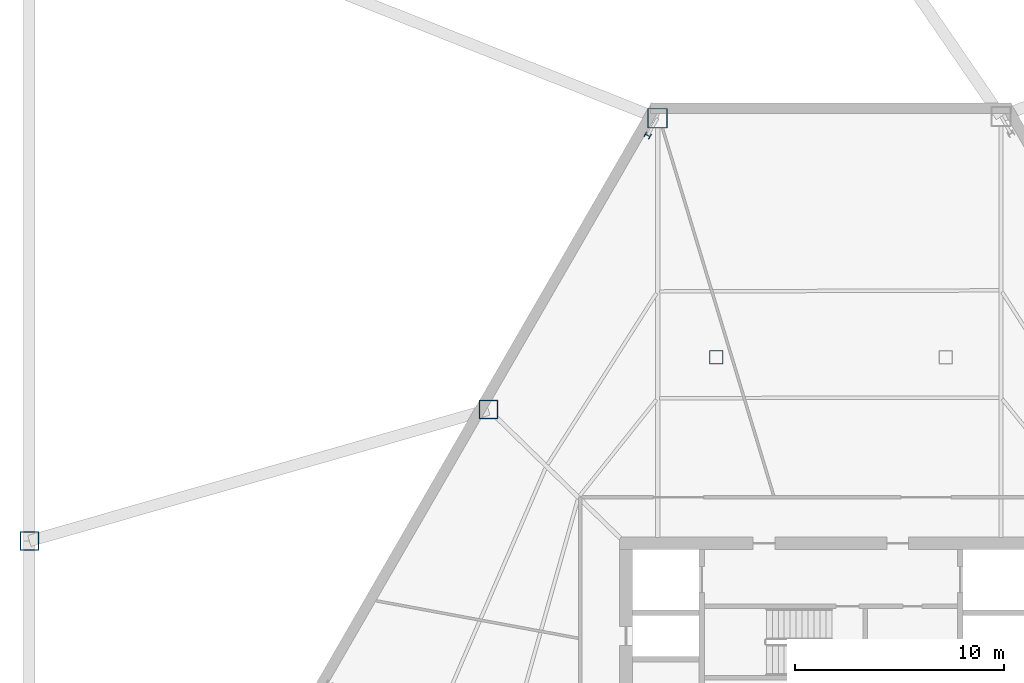
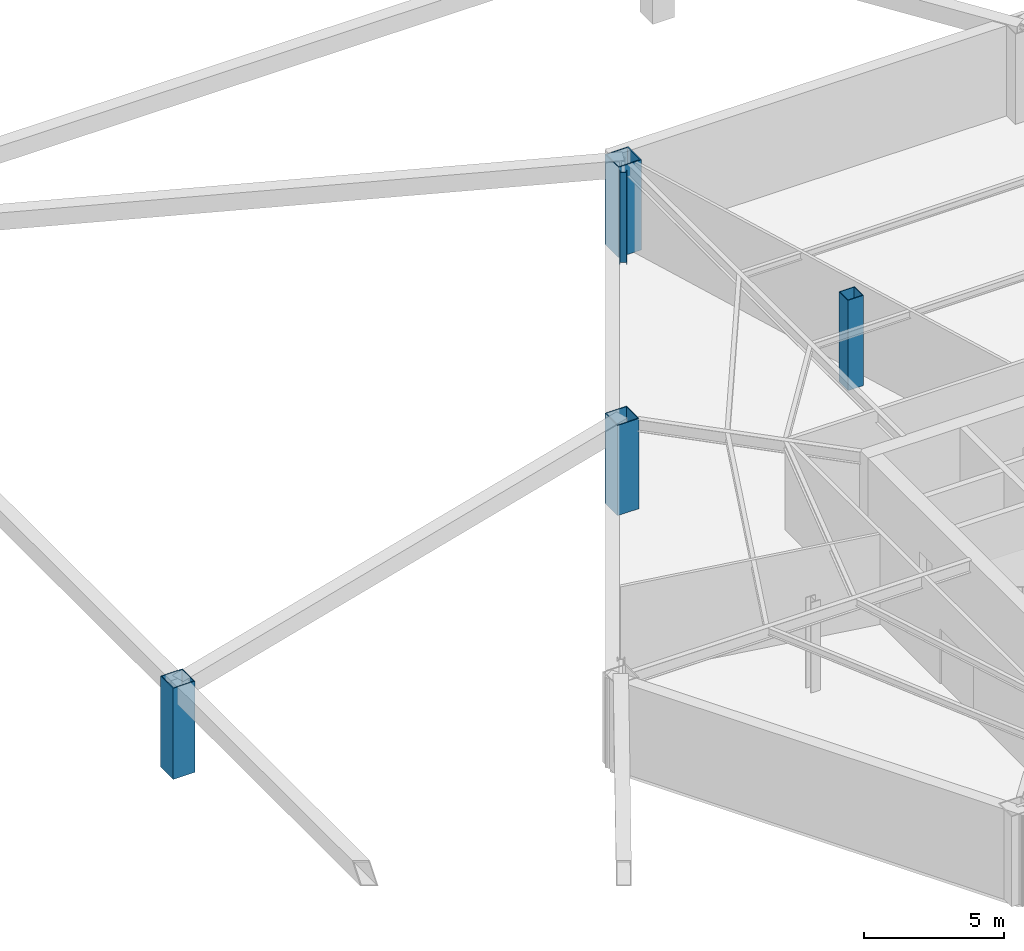
# One storey, part 3 of 8: 5 columns.
"""IFC4 building model written with IfcOpenShell, lengths in metres."""

from ifc_helpers import new_model, si_unit, direction, frame, origin, origin_2d, place, context, subcontext, project, spatial, hollow_rectangle, i_section, extrude, material, material_profile, profile_set, type_object, element, save


model = new_model("IFC4")

# Units and contexts
model_context = context("Model", 3, precision=1e-05, world=origin(), true_north=direction((0.0, 1.0)))
body_context = subcontext(model_context, "Body", "Model", "MODEL_VIEW")
ifc_project = project(units=[si_unit("LENGTHUNIT", "METRE"), si_unit("AREAUNIT", "SQUARE_METRE"), si_unit("VOLUMEUNIT", "CUBIC_METRE"), si_unit("PLANEANGLEUNIT", "RADIAN"), si_unit("MASSUNIT", "GRAM", prefix="KILO")], contexts=[model_context])

# Site, building, storey
site_placement = place(None, origin())
site = spatial("IfcSite", under=ifc_project, at=site_placement, CompositionType="ELEMENT")
building_placement = place(site_placement, origin())
building = spatial("IfcBuilding", under=site, at=building_placement, Name="Kavelnor Concourse Tower", CompositionType="ELEMENT")
storey_placement = place(building_placement, frame((0.0, 0.0, -4.199951171875)))
storey = spatial("IfcBuildingStorey", under=building, at=storey_placement, Name="B01", CompositionType="ELEMENT", Elevation=-4.199951171875)

# Columns
ifc_material = material(Name="Steel Grade 350", Category="steel")
ifc_material_profile_1 = material_profile(ifc_material, hollow_rectangle(XDim=0.89990234375, YDim=0.89990234375, WallThickness=0.0380859375, at=origin_2d()), Name="SHS 900x900x38")
ifc_profile_set_1 = profile_set([ifc_material_profile_1], Name="Steel Grade 350")
column_type_1 = type_object("IfcColumnType", Name="COL-MEGA-900", PredefinedType="COLUMN", material=ifc_profile_set_1)
column_1_placement = place(storey_placement, frame((21.587158203125, 29.294189453125, 0.0), z_axis=(0.0, 0.0, 1.0), x_axis=(1.0, 0.0, 0.0)))
element("IfcColumn", 1, at=column_1_placement, inside=storey, type_object=column_type_1, Name="B01 Perimeter Mega Column MC-F0", PredefinedType="COLUMN", context=body_context, shape_type="SweptSolid", body=[
    extrude(hollow_rectangle(XDim=0.89990234375, YDim=0.89990234375, WallThickness=0.0380859375, at=origin_2d()), origin(), (0.0, 0.0, 1.0), 3.93994140625),
])
column_2_placement = place(storey_placement, frame((-0.39990234375, 23.0, 0.0), z_axis=(0.0, 0.0, 1.0), x_axis=(1.0, 0.0, 0.0)))
element("IfcColumn", 2, at=column_2_placement, inside=storey, type_object=column_type_1, Name="B01 Plaza Support Column PLZ-W", PredefinedType="COLUMN", context=body_context, shape_type="SweptSolid", body=[
    extrude(hollow_rectangle(XDim=0.89990234375, YDim=0.89990234375, WallThickness=0.0380859375, at=origin_2d()), origin(), (0.0, 0.0, 1.0), 3.97998046875),
])
ifc_material_profile_2 = material_profile(ifc_material, hollow_rectangle(XDim=0.949951171875, YDim=0.949951171875, WallThickness=0.0400390625, at=origin_2d()), Name="SHS 950x950x40")
ifc_profile_set_2 = profile_set([ifc_material_profile_2], Name="Steel Grade 350")
column_type_2 = type_object("IfcColumnType", Name="COL-MEGA-950", PredefinedType="COLUMN", material=ifc_profile_set_2)
column_3_placement = place(storey_placement, frame((29.694580078125, 43.248779296875, 0.0), z_axis=(0.0, 0.0, 1.0), x_axis=(1.0, 0.0, 0.0)))
element("IfcColumn", 3, at=column_3_placement, inside=storey, type_object=column_type_2, Name="B01 Perimeter Mega Column MC-V1", PredefinedType="COLUMN", context=body_context, shape_type="SweptSolid", body=[
    extrude(hollow_rectangle(XDim=0.949951171875, YDim=0.949951171875, WallThickness=0.0400390625, at=origin_2d()), origin(), (0.0, 0.0, 1.0), 3.93994140625),
])
ifc_material_profile_3 = material_profile(ifc_material, i_section(OverallWidth=0.260986328125, OverallDepth=0.27587890625, WebThickness=0.015380859375, FlangeThickness=0.025390625, at=origin_2d()), Name="UC 254x254x132")
ifc_profile_set_3 = profile_set([ifc_material_profile_3], Name="Steel Grade 350")
column_type_3 = type_object("IfcColumnType", Name="COL-PILASTER-250", PredefinedType="PILASTER", material=ifc_profile_set_3)
column_4_placement = place(storey_placement, frame((29.21728515625, 42.427490234375, 0.0), z_axis=(0.0, 0.0, 1.0), x_axis=(-0.502416446459, -0.864625765478, 0.0)))
element("IfcColumn", 4, at=column_4_placement, inside=storey, type_object=column_type_3, Name="B01 Brick Pier Stiffener Pilaster F0-A", PredefinedType="PILASTER", context=body_context, shape_type="SweptSolid", body=[
    extrude(i_section(OverallWidth=0.260986328125, OverallDepth=0.27587890625, WebThickness=0.015380859375, FlangeThickness=0.025390625, at=origin_2d()), origin(), (0.0, 0.0, 1.0), 3.93994140625),
])
ifc_material_profile_4 = material_profile(ifc_material, hollow_rectangle(XDim=0.639892578125, YDim=0.639892578125, WallThickness=0.028076171875, at=origin_2d()), Name="SHS 640x640x28")
ifc_profile_set_4 = profile_set([ifc_material_profile_4], Name="Steel Grade 350")
column_type_4 = type_object("IfcColumnType", Name="COL-TUBE-Z3", PredefinedType="COLUMN", material=ifc_profile_set_4)
column_5_placement = place(storey_placement, frame((32.5, 31.800048828125, 0.0), z_axis=(0.0, 0.0, 1.0), x_axis=(1.0, 0.0, 0.0)))
element("IfcColumn", 5, at=column_5_placement, inside=storey, type_object=column_type_4, Name="B01 Interior Column BC-NW", PredefinedType="COLUMN", context=body_context, shape_type="SweptSolid", body=[
    extrude(hollow_rectangle(XDim=0.639892578125, YDim=0.639892578125, WallThickness=0.028076171875, at=origin_2d()), origin(), (0.0, 0.0, 1.0), 3.93994140625),
])

save(model, "model.ifc")
